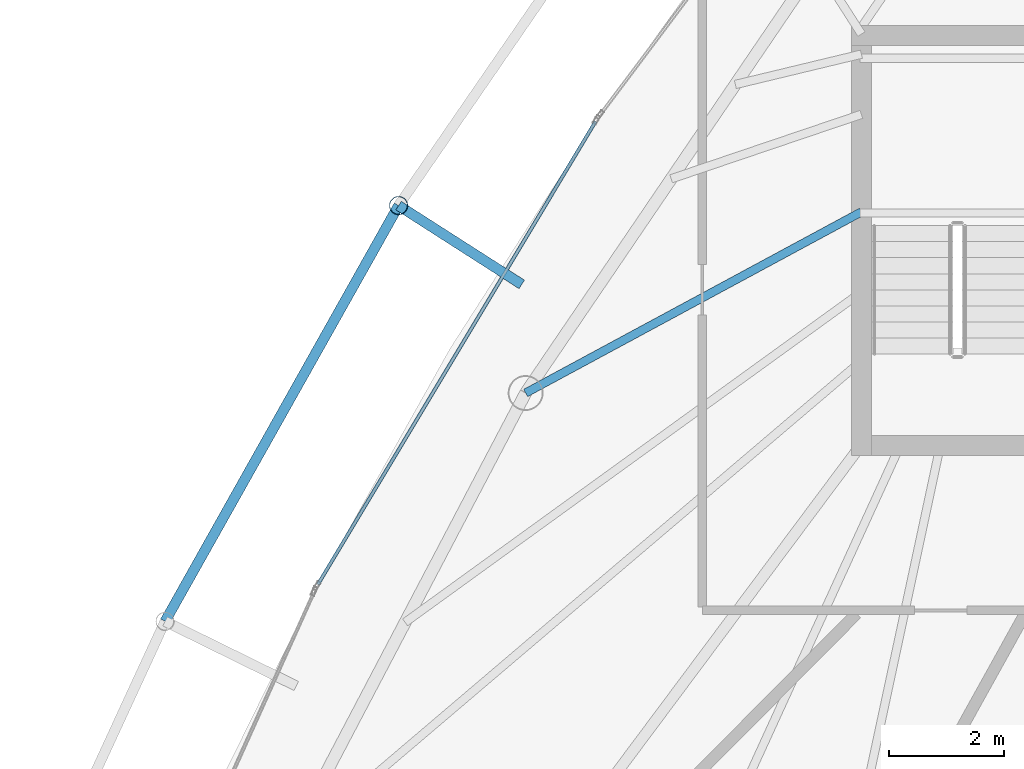
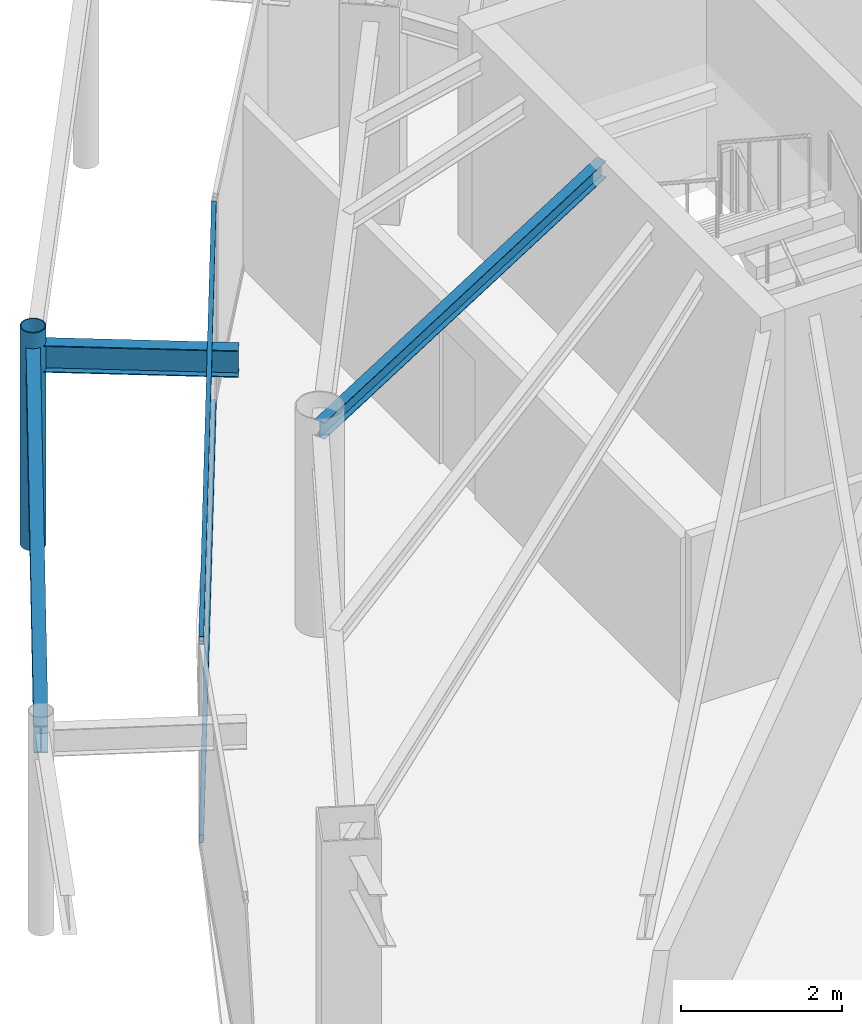
# One storey, part 11 of 29: 3 beams, 3 members, 1 element without a shape of its own.
"""IFC4 building model written with IfcOpenShell, lengths in metres."""

from ifc_helpers import new_model, si_unit, direction, frame, origin, origin_2d, place, context, subcontext, project, spatial, hollow_rectangle, hollow_circle, i_section, extrude, material, layer, layer_set, material_profile, profile_set, type_object, element, aggregate, save


model = new_model("IFC4")

# Units and contexts
model_context = context("Model", 3, precision=1e-05, world=origin(), true_north=direction((0.0, 1.0)))
body_context = subcontext(model_context, "Body", "Model", "MODEL_VIEW")
ifc_project = project(units=[si_unit("LENGTHUNIT", "METRE"), si_unit("AREAUNIT", "SQUARE_METRE"), si_unit("VOLUMEUNIT", "CUBIC_METRE"), si_unit("PLANEANGLEUNIT", "RADIAN"), si_unit("MASSUNIT", "GRAM", prefix="KILO")], contexts=[model_context])

# Site, building, storey
site_placement = place(None, origin())
site = spatial("IfcSite", under=ifc_project, at=site_placement, CompositionType="ELEMENT")
building_placement = place(site_placement, origin())
building = spatial("IfcBuilding", under=site, at=building_placement, Name="Orvanel Arch Residences", CompositionType="ELEMENT")
storey_placement = place(building_placement, frame((0.0, 0.0, 250.25)))
storey = spatial("IfcBuildingStorey", under=building, at=storey_placement, Name="L71", CompositionType="ELEMENT", Elevation=250.25)

# Beams
ifc_material_1 = material(Name="Structural steel AS/NZS 3679.1 Grade 300 (300 MPa)", Category="steel")
ifc_material_profile_1 = material_profile(ifc_material_1, i_section(OverallWidth=0.14599609375, OverallDepth=0.251953125, WebThickness=0.006103515625, FlangeThickness=0.008544921875, at=origin_2d()), Name="250UB31.4")
ifc_profile_set_1 = profile_set([ifc_material_profile_1], Name="Structural steel AS/NZS 3679.1 Grade 300 (300 MPa)")
beam_type_1 = type_object("IfcBeamType", Name="BJ-250UB", PredefinedType="JOIST", material=ifc_profile_set_1)
beam_1_placement = place(storey_placement, frame((26.425048828125, 30.800048828125, 2.93408203125), z_axis=(-0.880111494021, -0.474767056664, 0.0), x_axis=(0.474767056664, -0.880111494021, 0.0)))
element("IfcBeam", 1, at=beam_1_placement, inside=storey, type_object=beam_type_1, Name="L71 NW Wing Floor Joist", PredefinedType="JOIST", context=body_context, shape_type="SweptSolid", body=[
    extrude(i_section(OverallWidth=0.14599609375, OverallDepth=0.251953125, WebThickness=0.006103515625, FlangeThickness=0.008544921875, at=origin_2d()), origin(), (0.0, 0.0, 1.0), 6.653564453125),
])
ifc_material_profile_2 = material_profile(ifc_material_1, i_section(OverallWidth=0.177978515625, OverallDepth=0.406005859375, WebThickness=0.0078125, FlangeThickness=0.0126953125, at=origin_2d()), Name="410UB59.7")
ifc_profile_set_2 = profile_set([ifc_material_profile_2], Name="Structural steel AS/NZS 3679.1 Grade 300 (300 MPa)")
beam_type_2 = type_object("IfcBeamType", Name="OB-410UB-EXT", PredefinedType="SPANDREL", material=ifc_profile_set_2)
beam_2_placement = place(storey_placement, frame((20.501953125, 29.534912109375, 2.85693359375), z_axis=(-0.84221576305, 0.539140620311, 0.0), x_axis=(-0.539140620311, -0.84221576305, 0.0)))
element("IfcBeam", 2, at=beam_2_placement, inside=storey, type_object=beam_type_2, Name="L71 Outer Frame Radial Tie Beam 02", PredefinedType="SPANDREL", context=body_context, shape_type="SweptSolid", body=[
    extrude(i_section(OverallWidth=0.177978515625, OverallDepth=0.406005859375, WebThickness=0.0078125, FlangeThickness=0.0126953125, at=origin_2d()), origin(), (0.0, 0.0, 1.0), 2.55029296875),
])
beam_3_placement = place(storey_placement, frame((18.35400390625, 30.909912109375, 2.85693359375), z_axis=(-0.489742679077, -0.871867024431, 0.0), x_axis=(0.871867024431, -0.489742679077, 0.0)))
element("IfcBeam", 3, at=beam_3_placement, inside=storey, type_object=beam_type_2, Name="L71 Outer Perimeter Floor Ring Beam 02", PredefinedType="SPANDREL", context=body_context, shape_type="SweptSolid", body=[
    extrude(i_section(OverallWidth=0.177978515625, OverallDepth=0.406005859375, WebThickness=0.0078125, FlangeThickness=0.0126953125, at=origin_2d()), origin(), (0.0, 0.0, 1.0), 8.316650390625),
])

# Member
ifc_material_2 = material(Name="Structural steel AS/NZS 1163 C350L0 (Grade 350)", Category="steel")
ifc_material_profile_3 = material_profile(ifc_material_2, hollow_circle(Radius=0.162109375, WallThickness=0.0126953125, at=origin_2d()), Name="CHS324x12.7")
ifc_profile_set_3 = profile_set([ifc_material_profile_3], Name="Structural steel AS/NZS 1163 C350L0 (Grade 350)")
member_type_1 = type_object("IfcMemberType", Name="ST-324CHS-EXT", PredefinedType="STRUT", material=ifc_profile_set_3)
member_1_placement = place(storey_placement, frame((18.35400390625, 30.909912109375, 0.0), z_axis=(0.0, 0.0, 1.0), x_axis=(1.0, 0.0, 0.0)))
element("IfcMember", 4, at=member_1_placement, inside=storey, type_object=member_type_1, Name="L71 Outer Perimeter Frame Post 02", PredefinedType="STRUT", context=body_context, shape_type="SweptSolid", body=[
    extrude(hollow_circle(Radius=0.162109375, WallThickness=0.0126953125, at=origin_2d()), origin(), (0.0, 0.0, 1.0), 3.300048828125),
])

# Curtain wall, members
ifc_material_3 = material(Name="Bronze-anodised aluminium AA6063-T6", Category="aluminium")
ifc_layer = layer(ifc_material_3, 0.175048828125)
ifc_layer_set = layer_set([ifc_layer], Name="Bronze-anodised aluminium AA6063-T6")
curtain_wall_type = type_object("IfcCurtainWallType", Name="CW4-HI-SYS", PredefinedType="NOTDEFINED", material=ifc_layer_set)
curtain_wall_placement = place(storey_placement, origin())
curtain_wall = element("IfcCurtainWall", 5, at=curtain_wall_placement, inside=storey, type_object=curtain_wall_type, Name="L71 CW4-HI-SYS Unitised Curtain Wall", PredefinedType="NOTDEFINED")
ifc_material_profile_4 = material_profile(ifc_material_3, hollow_rectangle(XDim=0.06005859375, YDim=0.1201171875, WallThickness=0.00341796875, at=origin_2d()), Name="ALU120x60x3.5")
ifc_profile_set_4 = profile_set([ifc_material_profile_4], Name="Bronze-anodised aluminium AA6063-T6")
member_type_2 = type_object("IfcMemberType", Name="TRN-120x60", PredefinedType="USERDEFINED", material=ifc_profile_set_4)
member_2_placement = place(storey_placement, frame((21.78857421875, 32.375244140625, 0.030029296875), z_axis=(-0.514350793048, -0.857579886478, 0.0), x_axis=(0.857579886478, -0.514350793048, 0.0)))
member_2 = element("IfcMember", 6, at=member_2_placement, type_object=member_type_2, Name="CW-S4 transom 1.1", ObjectType="TRANSOM", PredefinedType="USERDEFINED", context=body_context, shape_type="SweptSolid", body=[
    extrude(hollow_rectangle(XDim=0.06005859375, YDim=0.1201171875, WallThickness=0.00341796875, at=origin_2d()), origin(), (0.0, 0.0, 1.0), 9.412109375),
])
member_3_placement = place(storey_placement, frame((21.78857421875, 32.375244140625, 3.030029296875), z_axis=(-0.514350793048, -0.857579886478, 0.0), x_axis=(0.857579886478, -0.514350793048, 0.0)))
member_3 = element("IfcMember", 7, at=member_3_placement, type_object=member_type_2, Name="CW-S4 transom 1.2", ObjectType="TRANSOM", PredefinedType="USERDEFINED", context=body_context, shape_type="SweptSolid", body=[
    extrude(hollow_rectangle(XDim=0.06005859375, YDim=0.1201171875, WallThickness=0.00341796875, at=origin_2d()), origin(), (0.0, 0.0, 1.0), 9.412109375),
])
aggregate(curtain_wall, [member_2, member_3])

save(model, "model.ifc")
